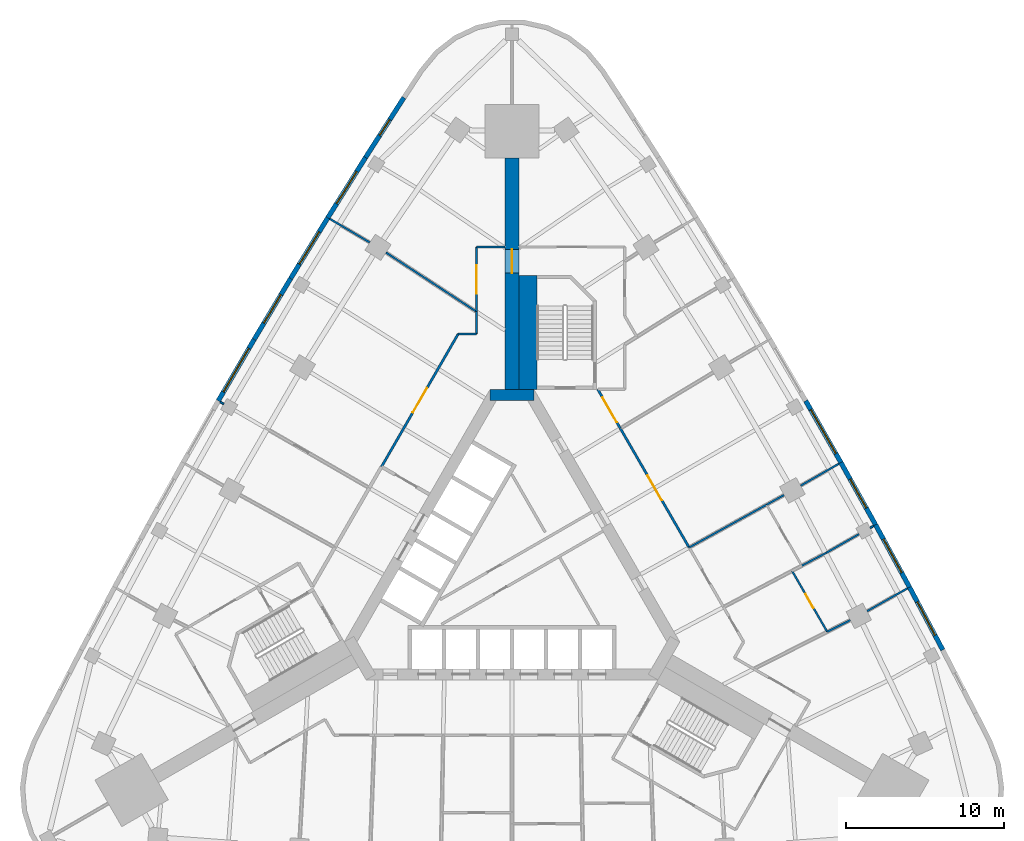
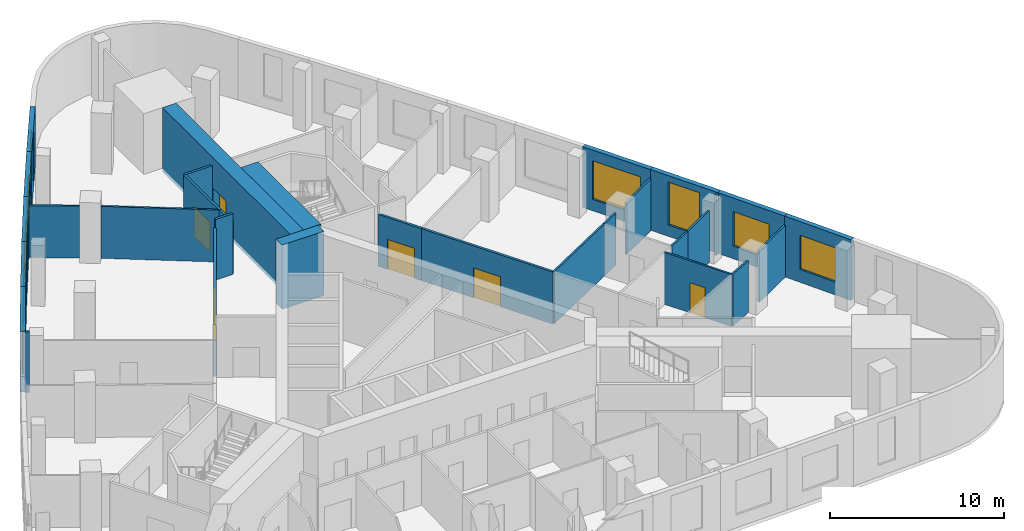
# One storey, part 8 of 11: 31 walls, 9 windows, 6 doors, 15 openings.
"""IFC4 building model written with IfcOpenShell, lengths in metres."""

import ifcopenshell
import ifcopenshell.guid

model = None  # the IFC model being written
_history = None  # IfcOwnerHistory: only IFC2X3 demands one
_inside = {}  # id of a spatial element -> (the spatial element, [elements in it])
_under = {}  # id of a project, library or spatial element -> (it, [spatial elements below it])
_declared = {}  # id of a project -> (the project, [libraries it declares])
_typed = {}  # id of a type object -> (the type object, [elements of that type])
_made_of = {}  # id of a material, layer set ... -> (it, [elements and type objects made of it])


def new_model(schema):
    """Start an empty IFC model of exactly this schema.

    Asked for "IFC4X3", IfcOpenShell would pick the latest addendum, in which some entities
    have other attributes; the version numbers below select the first issue.
    IFC2X3 requires an IfcOwnerHistory on every rooted entity: one is made here for all.
    """
    global model, _history
    if schema == "IFC4X3":
        model = ifcopenshell.file(schema_version=(4, 3, 0, 0))
    else:
        model = ifcopenshell.file(schema=schema)
    _inside.clear()
    _under.clear()
    _declared.clear()
    _typed.clear()
    _made_of.clear()
    _history = None
    if model.schema == "IFC2X3":
        org = make("IfcOrganization", Name="unknown")
        user = make(
            "IfcPersonAndOrganization",
            ThePerson=make("IfcPerson", FamilyName="unknown"),
            TheOrganization=org,
        )
        app = make(
            "IfcApplication",
            ApplicationDeveloper=org,
            Version="unknown",
            ApplicationFullName="unknown",
            ApplicationIdentifier="unknown",
        )
        _history = make(
            "IfcOwnerHistory",
            OwningUser=user,
            OwningApplication=app,
            ChangeAction="ADDED",
            CreationDate=0,
        )
    return model


def make(cls, **values):
    """One entity of the class cls with the attributes given. An attribute that is None is left unset."""
    return model.create_entity(
        cls, **{name: value for name, value in values.items() if value is not None}
    )


def rooted(cls, **values):
    """An entity with a GlobalId (a new one), such as an element, a storey or a relation."""
    return make(cls, GlobalId=ifcopenshell.guid.new(), OwnerHistory=_history, **values)


def si_unit(unit_type, name, prefix=None):
    """IfcSIUnit, for example si_unit("LENGTHUNIT", "METRE", prefix="MILLI")."""
    return make("IfcSIUnit", UnitType=unit_type, Prefix=prefix, Name=name)


def assignment(units):
    """IfcUnitAssignment: the units of a project."""
    return None if units is None else make("IfcUnitAssignment", Units=units)


def point(xyz):
    """IfcCartesianPoint."""
    return None if xyz is None else make("IfcCartesianPoint", Coordinates=xyz)


def direction(xyz):
    """IfcDirection."""
    return None if xyz is None else make("IfcDirection", DirectionRatios=xyz)


def frame(location, z_axis=None, x_axis=None):
    """IfcAxis2Placement3D, a coordinate frame: its origin and axes. An axis left out is left unset."""
    return make(
        "IfcAxis2Placement3D",
        Location=point(location),
        Axis=direction(z_axis),
        RefDirection=direction(x_axis),
    )


def frame_2d(location, x_axis=None):
    """IfcAxis2Placement2D, a coordinate frame in the plane: its origin and x axis."""
    return make(
        "IfcAxis2Placement2D", Location=point(location), RefDirection=direction(x_axis)
    )


def origin():
    """The frame at (0, 0, 0) with its axes left unset."""
    return frame((0.0, 0.0, 0.0))


def place(relative_to, where):
    """IfcLocalPlacement: puts the frame where relative to a parent placement (None: the world)."""
    return make(
        "IfcLocalPlacement", PlacementRelTo=relative_to, RelativePlacement=where
    )


def context(
    kind, dimensions, precision=None, world=None, true_north=None, identifier=None
):
    """IfcGeometricRepresentationContext, for example the 3D "Model" context."""
    return make(
        "IfcGeometricRepresentationContext",
        ContextIdentifier=identifier,
        ContextType=kind,
        CoordinateSpaceDimension=dimensions,
        Precision=precision,
        WorldCoordinateSystem=world,
        TrueNorth=true_north,
    )


def subcontext(parent, identifier, kind, view, scale=None):
    """IfcGeometricRepresentationSubContext, for example "Body" below "Model"."""
    return make(
        "IfcGeometricRepresentationSubContext",
        ContextIdentifier=identifier,
        ContextType=kind,
        ParentContext=parent,
        TargetScale=scale,
        TargetView=view,
    )


def project(units=None, contexts=None):
    """IfcProject with its units and contexts."""
    return rooted(
        "IfcProject",
        Name="project",
        RepresentationContexts=contexts,
        UnitsInContext=assignment(units),
    )


def spatial(cls, under=None, at=None, **own):
    """A site, building, storey or space (cls), placed at a placement, below another one or the project."""
    s = rooted(cls, ObjectPlacement=at, **own)
    if under is not None:
        _under.setdefault(under.id(), (under, []))[1].append(s)
    return s


def profile(cls, at=None, kind="AREA", **sizes):
    """A parametric profile (cls). Its sizes go by their IFC names, for example OverallWidth=200.0."""
    return make(cls, ProfileType=kind, Position=at, **sizes)


def rectangle(**sizes):
    """IfcRectangleProfileDef."""
    return profile("IfcRectangleProfileDef", **sizes)


def extrude(swept, where, along, depth):
    """IfcExtrudedAreaSolid: the profile swept, set in the frame where, extruded along a direction by depth."""
    return make(
        "IfcExtrudedAreaSolid",
        SweptArea=swept,
        Position=where,
        ExtrudedDirection=direction(along),
        Depth=depth,
    )


def shape(context_of_items, identifier, shape_type, items):
    """IfcShapeRepresentation: the items that make up one representation, for example the "Body"."""
    return make(
        "IfcShapeRepresentation",
        ContextOfItems=context_of_items,
        RepresentationIdentifier=identifier,
        RepresentationType=shape_type,
        Items=items,
    )


def material(Name=None, Category=None):
    """IfcMaterial."""
    return make("IfcMaterial", Name=Name, Category=Category)


def layer(
    of_material, thickness, ventilated=None, Name=None, Category=None, Priority=None
):
    """IfcMaterialLayer: one layer of a wall or slab, of a material (None: an air gap)."""
    return make(
        "IfcMaterialLayer",
        Material=of_material,
        LayerThickness=thickness,
        IsVentilated=ventilated,
        Name=Name,
        Category=Category,
        Priority=Priority,
    )


def layer_set(layers, Name=None):
    """IfcMaterialLayerSet."""
    return make("IfcMaterialLayerSet", MaterialLayers=layers, LayerSetName=Name)


def made_of(thing, what):
    """Note that an element or type object is made of a material, layer set ...; save() writes the relation."""
    if what is not None:
        _made_of.setdefault(what.id(), (what, []))[1].append(thing)
    return thing


def type_object(cls, material=None, **own):
    """A type object (cls), such as IfcWallType, which elements share."""
    return made_of(rooted(cls, **own), material)


def element(
    cls,
    number,
    at=None,
    inside=None,
    cuts=None,
    type_object=None,
    material=None,
    context=None,
    identifier="Body",
    shape_type=None,
    held_by="IfcProductDefinitionShape",
    body=None,
    shapes=None,
    **own,
):
    """One element of the class cls, such as IfcWall. Its Tag is "e" and its number.

    at: its placement. inside: the storey or other place that contains it. cuts: it is an
    opening in that element (IfcRelVoidsElement). A single representation is given by context,
    identifier, shape_type and body (its items); several are given by shapes. held_by: the class
    of the entity that holds the representations. save() writes the other relations.
    """
    e = rooted(cls, Tag="e%d" % number, ObjectPlacement=at, **own)
    if body is not None:
        shapes = [shape(context, identifier, shape_type, body)]
    if shapes is not None:
        e.Representation = make(held_by, Representations=shapes)
    if inside is not None:
        _inside.setdefault(inside.id(), (inside, []))[1].append(e)
    if cuts is not None:
        rooted(
            "IfcRelVoidsElement", RelatingBuildingElement=cuts, RelatedOpeningElement=e
        )
    if type_object is not None:
        _typed.setdefault(type_object.id(), (type_object, []))[1].append(e)
    return made_of(e, material)


def fill(opening, filler):
    """IfcRelFillsElement: the door or window that sits in an opening."""
    return rooted(
        "IfcRelFillsElement",
        RelatingOpeningElement=opening,
        RelatedBuildingElement=filler,
    )


def aggregate(whole, parts):
    """IfcRelAggregates: a whole, such as a stair, and the parts it consists of."""
    return rooted("IfcRelAggregates", RelatingObject=whole, RelatedObjects=parts)


def save(model, path):
    """Write the relations noted so far, then the file.

    IfcRelAggregates (storeys below a building ...), IfcRelContainedInSpatialStructure (elements
    in a storey), IfcRelDefinesByType, IfcRelAssociatesMaterial and IfcRelDeclares: one each for
    every whole, place, type object, material and project.
    """
    for whole, parts in _under.values():
        aggregate(whole, parts)
    for where, things in _inside.values():
        rooted(
            "IfcRelContainedInSpatialStructure",
            RelatedElements=things,
            RelatingStructure=where,
        )
    for kind, things in _typed.values():
        rooted("IfcRelDefinesByType", RelatedObjects=things, RelatingType=kind)
    for what, things in _made_of.values():
        rooted("IfcRelAssociatesMaterial", RelatedObjects=things, RelatingMaterial=what)
    for by, libraries in _declared.values():
        rooted("IfcRelDeclares", RelatingContext=by, RelatedDefinitions=libraries)
    model.write(path)


model = new_model("IFC4")

# Units and contexts
model_context = context("Model", 3, precision=1e-05, world=origin(), true_north=direction((0.0, 1.0)))
body_context = subcontext(model_context, "Body", "Model", "MODEL_VIEW")
ifc_project = project(units=[si_unit("LENGTHUNIT", "METRE"), si_unit("AREAUNIT", "SQUARE_METRE"), si_unit("VOLUMEUNIT", "CUBIC_METRE"), si_unit("PLANEANGLEUNIT", "RADIAN"), si_unit("MASSUNIT", "GRAM", prefix="KILO")], contexts=[model_context])

# Site, building, storey
site_placement = place(None, origin())
site = spatial("IfcSite", under=ifc_project, at=site_placement, CompositionType="ELEMENT")
building_placement = place(site_placement, origin())
building = spatial("IfcBuilding", under=site, at=building_placement, Name="Noor Cloister Tower", CompositionType="ELEMENT")
storey_placement = place(building_placement, frame((0.0, 0.0, 15.0)))
storey = spatial("IfcBuildingStorey", under=building, at=storey_placement, Name="L03", CompositionType="ELEMENT", Elevation=15.0)

# Wall, opening, door
ifc_material_1 = material(Name="Concrete C80/95", Category="concrete")
ifc_layer_1 = layer(ifc_material_1, 0.89990234375)
ifc_layer_set_1 = layer_set([ifc_layer_1], Name="Buttress wall 900 C80/95")
wall_type_1 = type_object("IfcWallType", Name="Buttress wall 900 C80/95", PredefinedType="SHEAR", material=ifc_layer_set_1)
wall_1_placement = place(storey_placement, frame((0.0, 11.456298828125, -0.25), z_axis=(0.0, 0.0, 1.0), x_axis=(0.0, 1.0, 0.0)))
wall_1 = element("IfcWall", 1, at=wall_1_placement, inside=storey, type_object=wall_type_1, Name="Buttress wall N L03", PredefinedType="SHEAR", context=body_context, shape_type="SweptSolid", body=[
    extrude(rectangle(XDim=14.6328125, YDim=0.89990234375, at=frame_2d((7.31640625, 0.0))), origin(), (0.0, 0.0, 1.0), 4.5),
])
opening_1_placement = place(wall_1_placement, frame((7.35009765625, 0.0, 0.25)))
opening_1 = element("IfcOpeningElement", 2, at=opening_1_placement, cuts=wall_1, Name="Opening L03-028", PredefinedType="OPENING", context=body_context, shape_type="SweptSolid", body=[
    extrude(rectangle(XDim=1.5, YDim=2.10009765625, at=frame_2d((0.75, 1.050048828125))), frame((0.0, 0.4599609375, 0.0), z_axis=(0.0, -1.0, 0.0), x_axis=(1.0, 0.0, 0.0)), (0.0, 0.0, 1.0), 0.919921875),
])
ifc_material_2 = material(Name="Steel fire door", Category="steel")
door_type_1 = type_object("IfcDoorType", Name="Smoke barrier door FD60 1500", OperationType="DOUBLE_DOOR_SINGLE_SWING", PredefinedType="DOOR", material=ifc_material_2)
door_1_placement = place(opening_1_placement, origin())
door_1 = element("IfcDoor", 3, at=door_1_placement, inside=storey, type_object=door_type_1, Name="Door L03-028", OperationType="DOUBLE_DOOR_SINGLE_SWING", OverallHeight=2.10009765625, OverallWidth=1.5, PredefinedType="DOOR", context=body_context, shape_type="SweptSolid", body=[
    extrude(rectangle(XDim=1.5, YDim=2.10009765625, at=frame_2d((0.75, 1.050048828125))), frame((0.0, 0.02490234375, 0.0), z_axis=(0.0, -1.0, 0.0), x_axis=(1.0, 0.0, 0.0)), (0.0, 0.0, 1.0), 0.050048828125),
])
fill(opening_1, door_1)

# Wall
ifc_material_3 = material(Name="Concrete C80/95", Category="concrete")
ifc_layer_2 = layer(ifc_material_3, 0.699951171875)
ifc_layer_set_2 = layer_set([ifc_layer_2], Name="Core wall 700 C80/95")
wall_type_2 = type_object("IfcWallType", Name="Core wall 700 C80/95", PredefinedType="SHEAR", material=ifc_layer_set_2)
wall_2_placement = place(storey_placement, frame((1.3857421875, 11.1064453125, -0.25), z_axis=(0.0, 0.0, 1.0), x_axis=(-1.0, 0.0, 0.0)))
element("IfcWall", 4, at=wall_2_placement, inside=storey, type_object=wall_type_2, Name="Core wall L03 4", PredefinedType="SHEAR", context=body_context, shape_type="SweptSolid", body=[
    extrude(rectangle(XDim=2.771484375, YDim=0.699951171875, at=frame_2d((1.3857421875, 0.0))), origin(), (0.0, 0.0, 1.0), 4.5),
])

# Wall, opening, door
ifc_material_4 = material(Name="Plasterboard on steel studs", Category="steel")
ifc_layer_3 = layer(ifc_material_4, 0.14990234375)
ifc_layer_set_3 = layer_set([ifc_layer_3], Name="Corridor wall 150")
wall_type_3 = type_object("IfcWallType", Name="Corridor wall 150", PredefinedType="PARTITIONING", material=ifc_layer_set_3)
wall_3_placement = place(storey_placement, frame((11.2060546875, 1.446044921875, 0.0), z_axis=(0.0, 0.0, 1.0), x_axis=(-0.500116761363, 0.865957981085, 0.0)))
wall_3 = element("IfcWall", 5, at=wall_3_placement, inside=storey, type_object=wall_type_3, Name="Partition", PredefinedType="PARTITIONING", context=body_context, shape_type="SweptSolid", body=[
    extrude(rectangle(XDim=8.7001953125, YDim=0.14990234375, at=frame_2d((4.35009765625, 0.0))), origin(), (0.0, 0.0, 1.0), 3.637939453125),
])
opening_2_placement = place(wall_3_placement, frame((3.449951171875, 0.0, 0.0)))
opening_2 = element("IfcOpeningElement", 6, at=opening_2_placement, cuts=wall_3, Name="Opening L03-020", PredefinedType="OPENING", context=body_context, shape_type="SweptSolid", body=[
    extrude(rectangle(XDim=1.800048828125, YDim=2.10009765625, at=frame_2d((0.89990234375, 1.050048828125))), frame((0.0, 0.0849609375, 0.0), z_axis=(0.0, -1.0, 0.0), x_axis=(1.0, 0.0, 0.0)), (0.0, 0.0, 1.0), 0.169921875),
])
ifc_material_5 = material(Name="Timber door leaf", Category="wood")
door_type_2 = type_object("IfcDoorType", Name="Double leaf door 1800", OperationType="DOUBLE_DOOR_SINGLE_SWING", PredefinedType="DOOR", material=ifc_material_5)
door_2_placement = place(opening_2_placement, origin())
door_2 = element("IfcDoor", 7, at=door_2_placement, inside=storey, type_object=door_type_2, Name="Door L03-020", OperationType="DOUBLE_DOOR_SINGLE_SWING", OverallHeight=2.10009765625, OverallWidth=1.800048828125, PredefinedType="DOOR", context=body_context, shape_type="SweptSolid", body=[
    extrude(rectangle(XDim=1.800048828125, YDim=2.10009765625, at=frame_2d((0.89990234375, 1.050048828125))), frame((0.0, 0.02490234375, 0.0), z_axis=(0.0, -1.0, 0.0), x_axis=(1.0, 0.0, 0.0)), (0.0, 0.0, 1.0), 0.050048828125),
])
fill(opening_2, door_2)

wall_4_placement = place(storey_placement, frame((6.85400390625, 8.98193359375, 0.0), z_axis=(0.0, 0.0, 1.0), x_axis=(-0.499919889281, 0.866071650789, 0.0)))
wall_4 = element("IfcWall", 8, at=wall_4_placement, inside=storey, type_object=wall_type_3, Name="Partition", PredefinedType="PARTITIONING", context=body_context, shape_type="SweptSolid", body=[
    extrude(rectangle(XDim=2.8544921875, YDim=0.14990234375, at=frame_2d((1.42724609375, 0.0))), origin(), (0.0, 0.0, 1.0), 3.637939453125),
])
opening_3_placement = place(wall_4_placement, frame((0.449951171875, 0.0, 0.0)))
opening_3 = element("IfcOpeningElement", 9, at=opening_3_placement, cuts=wall_4, Name="Opening L03-021", PredefinedType="OPENING", context=body_context, shape_type="SweptSolid", body=[
    extrude(rectangle(XDim=1.800048828125, YDim=2.10009765625, at=frame_2d((0.89990234375, 1.050048828125))), frame((0.0, 0.0849609375, 0.0), z_axis=(0.0, -1.0, 0.0), x_axis=(1.0, 0.0, 0.0)), (0.0, 0.0, 1.0), 0.169921875),
])
door_3_placement = place(opening_3_placement, origin())
door_3 = element("IfcDoor", 10, at=door_3_placement, inside=storey, type_object=door_type_2, Name="Door L03-021", OperationType="DOUBLE_DOOR_SINGLE_SWING", OverallHeight=2.10009765625, OverallWidth=1.800048828125, PredefinedType="DOOR", context=body_context, shape_type="SweptSolid", body=[
    extrude(rectangle(XDim=1.800048828125, YDim=2.10009765625, at=frame_2d((0.89990234375, 1.050048828125))), frame((0.0, 0.02490234375, 0.0), z_axis=(0.0, -1.0, 0.0), x_axis=(1.0, 0.0, 0.0)), (0.0, 0.0, 1.0), 0.050048828125),
])
fill(opening_3, door_3)

# Walls
wall_5_placement = place(storey_placement, frame((-2.25, 16.366943359375, 0.0), z_axis=(0.0, 0.0, 1.0), x_axis=(0.0, -1.0, 0.0)))
element("IfcWall", 11, at=wall_5_placement, inside=storey, type_object=wall_type_3, Name="Partition", PredefinedType="PARTITIONING", context=body_context, shape_type="SweptSolid", body=[
    extrude(rectangle(XDim=1.410888671875, YDim=0.14990234375, at=frame_2d((0.70556640625, 0.0))), origin(), (0.0, 0.0, 1.0), 3.637939453125),
])
wall_6_placement = place(storey_placement, frame((-2.25, 14.9560546875, 0.0), z_axis=(0.0, 0.0, 1.0), x_axis=(-1.0, 0.0, 0.0)))
element("IfcWall", 12, at=wall_6_placement, inside=storey, type_object=wall_type_3, Name="Partition", PredefinedType="PARTITIONING", context=body_context, shape_type="SweptSolid", body=[
    extrude(rectangle(XDim=1.156005859375, YDim=0.14990234375, at=frame_2d((0.578125, 0.0))), origin(), (0.0, 0.0, 1.0), 4.25),
])

# Wall, opening, door
wall_7_placement = place(storey_placement, frame((-3.406005859375, 14.9560546875, 0.0), z_axis=(0.0, 0.0, 1.0), x_axis=(-0.500020940175, -0.866013313631, 0.0)))
wall_7 = element("IfcWall", 13, at=wall_7_placement, inside=storey, type_object=wall_type_3, Name="Partition", PredefinedType="PARTITIONING", context=body_context, shape_type="SweptSolid", body=[
    extrude(rectangle(XDim=9.69970703125, YDim=0.14990234375, at=frame_2d((4.849853515625, 0.0))), origin(), (0.0, 0.0, 1.0), 3.637939453125),
])
opening_4_placement = place(wall_7_placement, frame((3.949951171875, 0.0, 0.0)))
opening_4 = element("IfcOpeningElement", 14, at=opening_4_placement, cuts=wall_7, Name="Opening L03-022", PredefinedType="OPENING", context=body_context, shape_type="SweptSolid", body=[
    extrude(rectangle(XDim=1.800048828125, YDim=2.10009765625, at=frame_2d((0.89990234375, 1.050048828125))), frame((0.0, 0.0849609375, 0.0), z_axis=(0.0, -1.0, 0.0), x_axis=(1.0, 0.0, 0.0)), (0.0, 0.0, 1.0), 0.169921875),
])
door_4_placement = place(opening_4_placement, origin())
door_4 = element("IfcDoor", 15, at=door_4_placement, inside=storey, type_object=door_type_2, Name="Door L03-022", OperationType="DOUBLE_DOOR_SINGLE_SWING", OverallHeight=2.10009765625, OverallWidth=1.800048828125, PredefinedType="DOOR", context=body_context, shape_type="SweptSolid", body=[
    extrude(rectangle(XDim=1.800048828125, YDim=2.10009765625, at=frame_2d((0.89990234375, 1.050048828125))), frame((0.0, 0.02490234375, 0.0), z_axis=(0.0, -1.0, 0.0), x_axis=(1.0, 0.0, 0.0)), (0.0, 0.0, 1.0), 0.050048828125),
])
fill(opening_4, door_4)

# Wall
wall_8_placement = place(storey_placement, frame((-0.449951171875, 20.4560546875, 0.0), z_axis=(0.0, 0.0, 1.0), x_axis=(-1.0, 0.0, 0.0)))
element("IfcWall", 16, at=wall_8_placement, inside=storey, type_object=wall_type_3, Name="Partition", PredefinedType="PARTITIONING", context=body_context, shape_type="SweptSolid", body=[
    extrude(rectangle(XDim=1.800048828125, YDim=0.14990234375, at=frame_2d((0.89990234375, 0.0))), origin(), (0.0, 0.0, 1.0), 3.637939453125),
])

# Wall, opening, door
wall_9_placement = place(storey_placement, frame((-2.25, 20.4560546875, 0.0), z_axis=(0.0, 0.0, 1.0), x_axis=(0.0, -1.0, 0.0)))
wall_9 = element("IfcWall", 17, at=wall_9_placement, inside=storey, type_object=wall_type_3, Name="Partition", PredefinedType="PARTITIONING", context=body_context, shape_type="SweptSolid", body=[
    extrude(rectangle(XDim=4.089111328125, YDim=0.14990234375, at=frame_2d((2.04443359375, 0.0))), origin(), (0.0, 0.0, 1.0), 3.637939453125),
])
opening_5_placement = place(wall_9_placement, frame((1.14990234375, 0.0, 0.0)))
opening_5 = element("IfcOpeningElement", 18, at=opening_5_placement, cuts=wall_9, Name="Opening L03-024", PredefinedType="OPENING", context=body_context, shape_type="SweptSolid", body=[
    extrude(rectangle(XDim=1.800048828125, YDim=2.10009765625, at=frame_2d((0.89990234375, 1.050048828125))), frame((0.0, 0.0849609375, 0.0), z_axis=(0.0, -1.0, 0.0), x_axis=(1.0, 0.0, 0.0)), (0.0, 0.0, 1.0), 0.169921875),
])
door_5_placement = place(opening_5_placement, origin())
door_5 = element("IfcDoor", 19, at=door_5_placement, inside=storey, type_object=door_type_2, Name="Door L03-024", OperationType="DOUBLE_DOOR_SINGLE_SWING", OverallHeight=2.10009765625, OverallWidth=1.800048828125, PredefinedType="DOOR", context=body_context, shape_type="SweptSolid", body=[
    extrude(rectangle(XDim=1.800048828125, YDim=2.10009765625, at=frame_2d((0.89990234375, 1.050048828125))), frame((0.0, 0.02490234375, 0.0), z_axis=(0.0, -1.0, 0.0), x_axis=(1.0, 0.0, 0.0)), (0.0, 0.0, 1.0), 0.050048828125),
])
fill(opening_5, door_5)

# Wall, opening, window
ifc_material_6 = material(Name="Limestone", Category="masonry")
ifc_layer_4 = layer(ifc_material_6, 0.300048828125)
ifc_layer_set_4 = layer_set([ifc_layer_4], Name="Limestone panel wall 300")
wall_type_4 = type_object("IfcWallType", Name="Limestone panel wall 300", PredefinedType="NOTDEFINED", material=ifc_layer_set_4)
wall_10_placement = place(storey_placement, frame((-9.267578125, 26.12353515625, 0.0), z_axis=(0.0, 0.0, 1.0), x_axis=(0.539483537275, 0.841996147859, 0.0)))
wall_10 = element("IfcWall", 20, at=wall_10_placement, inside=storey, type_object=wall_type_4, Name="Limestone wall L03 NW 1", PredefinedType="NOTDEFINED", context=body_context, shape_type="SweptSolid", body=[
    extrude(rectangle(XDim=4.49609375, YDim=0.300048828125, at=frame_2d((2.248046875, 0.0))), origin(), (0.0, 0.0, 1.0), 4.25),
])
opening_6_placement = place(wall_10_placement, frame((1.64794921875, 0.0, 0.800048828125)))
opening_6 = element("IfcOpeningElement", 21, at=opening_6_placement, cuts=wall_10, Name="Opening L03-W01", PredefinedType="OPENING", context=body_context, shape_type="SweptSolid", body=[
    extrude(rectangle(XDim=1.199951171875, YDim=3.0, at=frame_2d((0.60009765625, 1.5))), frame((0.0, 0.16015625, 0.0), z_axis=(0.0, -1.0, 0.0), x_axis=(1.0, 0.0, 0.0)), (0.0, 0.0, 1.0), 0.320068359375),
])
ifc_material_7 = material(Name="Aluminium 6063-T6 anodised", Category="aluminium")
window_type_1 = type_object("IfcWindowType", Name="Lancet window 1200 x 3000", PartitioningType="SINGLE_PANEL", PredefinedType="WINDOW", material=ifc_material_7)
window_1_placement = place(opening_6_placement, origin())
window_1 = element("IfcWindow", 22, at=window_1_placement, inside=storey, type_object=window_type_1, Name="Window L03 1", OverallHeight=3.0, OverallWidth=1.199951171875, PartitioningType="SINGLE_PANEL", PredefinedType="WINDOW", context=body_context, shape_type="SweptSolid", body=[
    extrude(rectangle(XDim=1.199951171875, YDim=3.0, at=frame_2d((0.60009765625, 1.5))), frame((0.0, 0.030029296875, 0.0), z_axis=(0.0, -1.0, 0.0), x_axis=(1.0, 0.0, 0.0)), (0.0, 0.0, 1.0), 0.06005859375),
])
fill(opening_6, window_1)

wall_11_placement = place(storey_placement, frame((-11.6552734375, 22.311279296875, 0.0), z_axis=(0.0, 0.0, 1.0), x_axis=(0.530804082031, 0.847494558389, 0.0)))
wall_11 = element("IfcWall", 23, at=wall_11_placement, inside=storey, type_object=wall_type_4, Name="Limestone wall L03 NW 2", PredefinedType="NOTDEFINED", context=body_context, shape_type="SweptSolid", body=[
    extrude(rectangle(XDim=4.495849609375, YDim=0.300048828125, at=frame_2d((2.248046875, 0.0))), origin(), (0.0, 0.0, 1.0), 4.25),
])
opening_7_placement = place(wall_11_placement, frame((1.048095703125, 0.0, 0.89990234375)))
opening_7 = element("IfcOpeningElement", 24, at=opening_7_placement, cuts=wall_11, Name="Opening L03-W02", PredefinedType="OPENING", context=body_context, shape_type="SweptSolid", body=[
    extrude(rectangle(XDim=2.39990234375, YDim=2.39990234375, at=frame_2d((1.199951171875, 1.199951171875))), frame((0.0, 0.16015625, 0.0), z_axis=(0.0, -1.0, 0.0), x_axis=(1.0, 0.0, 0.0)), (0.0, 0.0, 1.0), 0.320068359375),
])
ifc_material_8 = material(Name="Aluminium 6063-T6 anodised", Category="aluminium")
window_type_2 = type_object("IfcWindowType", Name="Clinic window 2400 x 2400", PartitioningType="DOUBLE_PANEL_VERTICAL", PredefinedType="WINDOW", material=ifc_material_8)
window_2_placement = place(opening_7_placement, origin())
window_2 = element("IfcWindow", 25, at=window_2_placement, inside=storey, type_object=window_type_2, Name="Window L03 2", OverallHeight=2.39990234375, OverallWidth=2.39990234375, PartitioningType="DOUBLE_PANEL_VERTICAL", PredefinedType="WINDOW", context=body_context, shape_type="SweptSolid", body=[
    extrude(rectangle(XDim=2.39990234375, YDim=2.39990234375, at=frame_2d((1.199951171875, 1.199951171875))), frame((0.0, 0.030029296875, 0.0), z_axis=(0.0, -1.0, 0.0), x_axis=(1.0, 0.0, 0.0)), (0.0, 0.0, 1.0), 0.06005859375),
])
fill(opening_7, window_2)

wall_12_placement = place(storey_placement, frame((-14.003662109375, 18.474609375, 0.0), z_axis=(0.0, 0.0, 1.0), x_axis=(0.522078085402, 0.852897691838, 0.0)))
wall_12 = element("IfcWall", 26, at=wall_12_placement, inside=storey, type_object=wall_type_4, Name="Limestone wall L03 NW 3", PredefinedType="NOTDEFINED", context=body_context, shape_type="SweptSolid", body=[
    extrude(rectangle(XDim=4.495849609375, YDim=0.300048828125, at=frame_2d((2.248046875, 0.0))), origin(), (0.0, 0.0, 1.0), 4.25),
])
opening_8_placement = place(wall_12_placement, frame((1.048095703125, 0.0, 0.89990234375)))
opening_8 = element("IfcOpeningElement", 27, at=opening_8_placement, cuts=wall_12, Name="Opening L03-W03", PredefinedType="OPENING", context=body_context, shape_type="SweptSolid", body=[
    extrude(rectangle(XDim=2.39990234375, YDim=2.39990234375, at=frame_2d((1.199951171875, 1.199951171875))), frame((0.0, 0.16015625, 0.0), z_axis=(0.0, -1.0, 0.0), x_axis=(1.0, 0.0, 0.0)), (0.0, 0.0, 1.0), 0.320068359375),
])
window_3_placement = place(opening_8_placement, origin())
window_3 = element("IfcWindow", 28, at=window_3_placement, inside=storey, type_object=window_type_2, Name="Window L03 3", OverallHeight=2.39990234375, OverallWidth=2.39990234375, PartitioningType="DOUBLE_PANEL_VERTICAL", PredefinedType="WINDOW", context=body_context, shape_type="SweptSolid", body=[
    extrude(rectangle(XDim=2.39990234375, YDim=2.39990234375, at=frame_2d((1.199951171875, 1.199951171875))), frame((0.0, 0.030029296875, 0.0), z_axis=(0.0, -1.0, 0.0), x_axis=(1.0, 0.0, 0.0)), (0.0, 0.0, 1.0), 0.06005859375),
])
fill(opening_8, window_3)

wall_13_placement = place(storey_placement, frame((-16.312744140625, 14.61376953125, 0.0), z_axis=(0.0, 0.0, 1.0), x_axis=(0.513257465408, 0.858234684805, 0.0)))
wall_13 = element("IfcWall", 29, at=wall_13_placement, inside=storey, type_object=wall_type_4, Name="Limestone wall L03 NW 4", PredefinedType="NOTDEFINED", context=body_context, shape_type="SweptSolid", body=[
    extrude(rectangle(XDim=4.49609375, YDim=0.300048828125, at=frame_2d((2.248046875, 0.0))), origin(), (0.0, 0.0, 1.0), 4.25),
])
opening_9_placement = place(wall_13_placement, frame((1.197998046875, 0.0, 0.800048828125)))
opening_9 = element("IfcOpeningElement", 30, at=opening_9_placement, cuts=wall_13, Name="Opening L03-W04", PredefinedType="OPENING", context=body_context, shape_type="SweptSolid", body=[
    extrude(rectangle(XDim=2.10009765625, YDim=3.0, at=frame_2d((1.050048828125, 1.5))), frame((0.0, 0.16015625, 0.0), z_axis=(0.0, -1.0, 0.0), x_axis=(1.0, 0.0, 0.0)), (0.0, 0.0, 1.0), 0.320068359375),
])
ifc_material_9 = material(Name="Aluminium 6063-T6 anodised", Category="aluminium")
window_type_3 = type_object("IfcWindowType", Name="Therapy window 2100 x 3000", PartitioningType="DOUBLE_PANEL_HORIZONTAL", PredefinedType="WINDOW", material=ifc_material_9)
window_4_placement = place(opening_9_placement, origin())
window_4 = element("IfcWindow", 31, at=window_4_placement, inside=storey, type_object=window_type_3, Name="Window L03 4", OverallHeight=3.0, OverallWidth=2.10009765625, PartitioningType="DOUBLE_PANEL_HORIZONTAL", PredefinedType="WINDOW", context=body_context, shape_type="SweptSolid", body=[
    extrude(rectangle(XDim=2.10009765625, YDim=3.0, at=frame_2d((1.050048828125, 1.5))), frame((0.0, 0.030029296875, 0.0), z_axis=(0.0, -1.0, 0.0), x_axis=(1.0, 0.0, 0.0)), (0.0, 0.0, 1.0), 0.06005859375),
])
fill(opening_9, window_4)

wall_14_placement = place(storey_placement, frame((-18.58203125, 10.729736328125, 0.0), z_axis=(0.0, 0.0, 1.0), x_axis=(0.50445499627, 0.86343798662, 0.0)))
wall_14 = element("IfcWall", 32, at=wall_14_placement, inside=storey, type_object=wall_type_4, Name="Limestone wall L03 NW 5", PredefinedType="NOTDEFINED", context=body_context, shape_type="SweptSolid", body=[
    extrude(rectangle(XDim=4.49609375, YDim=0.300048828125, at=frame_2d((2.248046875, 0.0))), origin(), (0.0, 0.0, 1.0), 4.25),
])
opening_10_placement = place(wall_14_placement, frame((0.64794921875, 0.0, 0.800048828125)))
opening_10 = element("IfcOpeningElement", 33, at=opening_10_placement, cuts=wall_14, Name="Opening L03-W05", PredefinedType="OPENING", context=body_context, shape_type="SweptSolid", body=[
    extrude(rectangle(XDim=3.199951171875, YDim=2.699951171875, at=frame_2d((1.60009765625, 1.35009765625))), frame((0.0, 0.16015625, 0.0), z_axis=(0.0, -1.0, 0.0), x_axis=(1.0, 0.0, 0.0)), (0.0, 0.0, 1.0), 0.320068359375),
])
ifc_material_10 = material(Name="Aluminium 6063-T6 anodised", Category="aluminium")
window_type_4 = type_object("IfcWindowType", Name="Waiting room window 3200 x 2700", PartitioningType="TRIPLE_PANEL_VERTICAL", PredefinedType="WINDOW", material=ifc_material_10)
window_5_placement = place(opening_10_placement, origin())
window_5 = element("IfcWindow", 34, at=window_5_placement, inside=storey, type_object=window_type_4, Name="Window L03 5", OverallHeight=2.699951171875, OverallWidth=3.199951171875, PartitioningType="TRIPLE_PANEL_VERTICAL", PredefinedType="WINDOW", context=body_context, shape_type="SweptSolid", body=[
    extrude(rectangle(XDim=3.199951171875, YDim=2.699951171875, at=frame_2d((1.60009765625, 1.35009765625))), frame((0.0, 0.030029296875, 0.0), z_axis=(0.0, -1.0, 0.0), x_axis=(1.0, 0.0, 0.0)), (0.0, 0.0, 1.0), 0.06005859375),
])
fill(opening_10, window_5)

wall_15_placement = place(storey_placement, frame((25.149658203125, -1.061767578125, 0.0), z_axis=(0.0, 0.0, 1.0), x_axis=(0.468566202388, -0.883428386447, 0.0)))
wall_15 = element("IfcWall", 35, at=wall_15_placement, inside=storey, type_object=wall_type_4, Name="Limestone wall L03 NE 2", PredefinedType="NOTDEFINED", context=body_context, shape_type="SweptSolid", body=[
    extrude(rectangle(XDim=4.49609375, YDim=0.300048828125, at=frame_2d((2.248046875, 0.0))), origin(), (0.0, 0.0, 1.0), 4.25),
])
opening_11_placement = place(wall_15_placement, frame((1.048095703125, 0.0, 0.89990234375)))
opening_11 = element("IfcOpeningElement", 36, at=opening_11_placement, cuts=wall_15, Name="Opening L03-W22", PredefinedType="OPENING", context=body_context, shape_type="SweptSolid", body=[
    extrude(rectangle(XDim=2.39990234375, YDim=2.39990234375, at=frame_2d((1.199951171875, 1.199951171875))), frame((0.0, 0.16015625, 0.0), z_axis=(0.0, -1.0, 0.0), x_axis=(1.0, 0.0, 0.0)), (0.0, 0.0, 1.0), 0.320068359375),
])
window_6_placement = place(opening_11_placement, origin())
window_6 = element("IfcWindow", 37, at=window_6_placement, inside=storey, type_object=window_type_2, Name="Window L03 22", OverallHeight=2.39990234375, OverallWidth=2.39990234375, PartitioningType="DOUBLE_PANEL_VERTICAL", PredefinedType="WINDOW", context=body_context, shape_type="SweptSolid", body=[
    extrude(rectangle(XDim=2.39990234375, YDim=2.39990234375, at=frame_2d((1.199951171875, 1.199951171875))), frame((0.0, 0.030029296875, 0.0), z_axis=(0.0, -1.0, 0.0), x_axis=(1.0, 0.0, 0.0)), (0.0, 0.0, 1.0), 0.06005859375),
])
fill(opening_11, window_6)

wall_16_placement = place(storey_placement, frame((23.001220703125, 2.890380859375, 0.0), z_axis=(0.0, 0.0, 1.0), x_axis=(0.477577109439, -0.878589838628, 0.0)))
wall_16 = element("IfcWall", 38, at=wall_16_placement, inside=storey, type_object=wall_type_4, Name="Limestone wall L03 NE 3", PredefinedType="NOTDEFINED", context=body_context, shape_type="SweptSolid", body=[
    extrude(rectangle(XDim=4.49609375, YDim=0.300048828125, at=frame_2d((2.248046875, 0.0))), origin(), (0.0, 0.0, 1.0), 4.25),
])
opening_12_placement = place(wall_16_placement, frame((1.048095703125, 0.0, 0.89990234375)))
opening_12 = element("IfcOpeningElement", 39, at=opening_12_placement, cuts=wall_16, Name="Opening L03-W23", PredefinedType="OPENING", context=body_context, shape_type="SweptSolid", body=[
    extrude(rectangle(XDim=2.39990234375, YDim=2.39990234375, at=frame_2d((1.199951171875, 1.199951171875))), frame((0.0, 0.16015625, 0.0), z_axis=(0.0, -1.0, 0.0), x_axis=(1.0, 0.0, 0.0)), (0.0, 0.0, 1.0), 0.320068359375),
])
window_7_placement = place(opening_12_placement, origin())
window_7 = element("IfcWindow", 40, at=window_7_placement, inside=storey, type_object=window_type_2, Name="Window L03 23", OverallHeight=2.39990234375, OverallWidth=2.39990234375, PartitioningType="DOUBLE_PANEL_VERTICAL", PredefinedType="WINDOW", context=body_context, shape_type="SweptSolid", body=[
    extrude(rectangle(XDim=2.39990234375, YDim=2.39990234375, at=frame_2d((1.199951171875, 1.199951171875))), frame((0.0, 0.030029296875, 0.0), z_axis=(0.0, -1.0, 0.0), x_axis=(1.0, 0.0, 0.0)), (0.0, 0.0, 1.0), 0.06005859375),
])
fill(opening_12, window_7)

wall_17_placement = place(storey_placement, frame((20.812255859375, 6.8203125, 0.0), z_axis=(0.0, 0.0, 1.0), x_axis=(0.486606252415, -0.873621402617, 0.0)))
wall_17 = element("IfcWall", 41, at=wall_17_placement, inside=storey, type_object=wall_type_4, Name="Limestone wall L03 NE 4", PredefinedType="NOTDEFINED", context=body_context, shape_type="SweptSolid", body=[
    extrude(rectangle(XDim=4.495849609375, YDim=0.300048828125, at=frame_2d((2.248046875, 0.0))), origin(), (0.0, 0.0, 1.0), 4.25),
])
opening_13_placement = place(wall_17_placement, frame((1.197998046875, 0.0, 0.800048828125)))
opening_13 = element("IfcOpeningElement", 42, at=opening_13_placement, cuts=wall_17, Name="Opening L03-W24", PredefinedType="OPENING", context=body_context, shape_type="SweptSolid", body=[
    extrude(rectangle(XDim=2.10009765625, YDim=3.0, at=frame_2d((1.050048828125, 1.5))), frame((0.0, 0.16015625, 0.0), z_axis=(0.0, -1.0, 0.0), x_axis=(1.0, 0.0, 0.0)), (0.0, 0.0, 1.0), 0.320068359375),
])
window_8_placement = place(opening_13_placement, origin())
window_8 = element("IfcWindow", 43, at=window_8_placement, inside=storey, type_object=window_type_3, Name="Window L03 24", OverallHeight=3.0, OverallWidth=2.10009765625, PartitioningType="DOUBLE_PANEL_HORIZONTAL", PredefinedType="WINDOW", context=body_context, shape_type="SweptSolid", body=[
    extrude(rectangle(XDim=2.10009765625, YDim=3.0, at=frame_2d((1.050048828125, 1.5))), frame((0.0, 0.030029296875, 0.0), z_axis=(0.0, -1.0, 0.0), x_axis=(1.0, 0.0, 0.0)), (0.0, 0.0, 1.0), 0.06005859375),
])
fill(opening_13, window_8)

wall_18_placement = place(storey_placement, frame((18.583251953125, 10.7275390625, 0.0), z_axis=(0.0, 0.0, 1.0), x_axis=(0.495524760411, -0.868593812907, 0.0)))
wall_18 = element("IfcWall", 44, at=wall_18_placement, inside=storey, type_object=wall_type_4, Name="Limestone wall L03 NE 5", PredefinedType="NOTDEFINED", context=body_context, shape_type="SweptSolid", body=[
    extrude(rectangle(XDim=4.495849609375, YDim=0.300048828125, at=frame_2d((2.248046875, 0.0))), origin(), (0.0, 0.0, 1.0), 4.25),
])
opening_14_placement = place(wall_18_placement, frame((0.64794921875, 0.0, 0.800048828125)))
opening_14 = element("IfcOpeningElement", 45, at=opening_14_placement, cuts=wall_18, Name="Opening L03-W25", PredefinedType="OPENING", context=body_context, shape_type="SweptSolid", body=[
    extrude(rectangle(XDim=3.199951171875, YDim=2.699951171875, at=frame_2d((1.60009765625, 1.35009765625))), frame((0.0, 0.16015625, 0.0), z_axis=(0.0, -1.0, 0.0), x_axis=(1.0, 0.0, 0.0)), (0.0, 0.0, 1.0), 0.320068359375),
])
window_9_placement = place(opening_14_placement, origin())
window_9 = element("IfcWindow", 46, at=window_9_placement, inside=storey, type_object=window_type_4, Name="Window L03 25", OverallHeight=2.699951171875, OverallWidth=3.199951171875, PartitioningType="TRIPLE_PANEL_VERTICAL", PredefinedType="WINDOW", context=body_context, shape_type="SweptSolid", body=[
    extrude(rectangle(XDim=3.199951171875, YDim=2.699951171875, at=frame_2d((1.60009765625, 1.35009765625))), frame((0.0, 0.030029296875, 0.0), z_axis=(0.0, -1.0, 0.0), x_axis=(1.0, 0.0, 0.0)), (0.0, 0.0, 1.0), 0.06005859375),
])
fill(opening_14, window_9)

# Walls
ifc_material_11 = material(Name="Plasterboard on steel studs", Category="steel")
ifc_layer_5 = layer(ifc_material_11, 0.1201171875)
ifc_layer_set_5 = layer_set([ifc_layer_5], Name="Partition wall 120")
wall_type_5 = type_object("IfcWallType", Name="Partition wall 120", PredefinedType="PARTITIONING", material=ifc_layer_set_5)
wall_19_placement = place(storey_placement, frame((21.40087890625, -3.15087890625, 0.0), z_axis=(0.0, 0.0, 1.0), x_axis=(-0.892653768212, -0.450742997834, 0.0)))
element("IfcWall", 47, at=wall_19_placement, inside=storey, type_object=wall_type_5, Name="Partition", PredefinedType="PARTITIONING", context=body_context, shape_type="SweptSolid", body=[
    extrude(rectangle(XDim=1.630859375, YDim=0.1201171875, at=frame_2d((0.8154296875, 0.0))), origin(), (0.0, 0.0, 1.0), 3.637939453125),
])
wall_20_placement = place(storey_placement, frame((25.02001953125, -1.137939453125, 0.0), z_axis=(0.0, 0.0, 1.0), x_axis=(-0.870620069476, -0.491955988505, 0.0)))
element("IfcWall", 48, at=wall_20_placement, inside=storey, type_object=wall_type_5, Name="Partition", PredefinedType="PARTITIONING", context=body_context, shape_type="SweptSolid", body=[
    extrude(rectangle(XDim=2.939453125, YDim=0.1201171875, at=frame_2d((1.4697265625, 0.0))), origin(), (0.0, 0.0, 1.0), 3.633056640625),
])

# Wall, opening, door
wall_21_placement = place(storey_placement, frame((19.944091796875, -3.885986328125, 0.0), z_axis=(0.0, 0.0, 1.0), x_axis=(-0.500092923031, 0.865971748, 0.0)))
wall_21 = element("IfcWall", 49, at=wall_21_placement, inside=storey, type_object=wall_type_5, Name="Partition", PredefinedType="PARTITIONING", context=body_context, shape_type="SweptSolid", body=[
    extrude(rectangle(XDim=4.449462890625, YDim=0.1201171875, at=frame_2d((2.224609375, 0.0))), origin(), (0.0, 0.0, 1.0), 3.637939453125),
])
opening_15_placement = place(wall_21_placement, frame((1.75, 0.0, 0.0)))
opening_15 = element("IfcOpeningElement", 50, at=opening_15_placement, cuts=wall_21, Name="Opening L03-015", PredefinedType="OPENING", context=body_context, shape_type="SweptSolid", body=[
    extrude(rectangle(XDim=1.0, YDim=2.10009765625, at=frame_2d((0.5, 1.050048828125))), frame((0.0, 0.070068359375, 0.0), z_axis=(0.0, -1.0, 0.0), x_axis=(1.0, 0.0, 0.0)), (0.0, 0.0, 1.0), 0.14013671875),
])
ifc_material_12 = material(Name="Timber door leaf", Category="wood")
door_type_3 = type_object("IfcDoorType", Name="Clinic room door 1000", OperationType="SINGLE_SWING_LEFT", PredefinedType="DOOR", material=ifc_material_12)
door_6_placement = place(opening_15_placement, origin())
door_6 = element("IfcDoor", 51, at=door_6_placement, inside=storey, type_object=door_type_3, Name="Door L03-015", OperationType="SINGLE_SWING_LEFT", OverallHeight=2.10009765625, OverallWidth=1.0, PredefinedType="DOOR", context=body_context, shape_type="SweptSolid", body=[
    extrude(rectangle(XDim=1.0, YDim=2.10009765625, at=frame_2d((0.5, 1.050048828125))), frame((0.0, 0.02490234375, 0.0), z_axis=(0.0, -1.0, 0.0), x_axis=(1.0, 0.0, 0.0)), (0.0, 0.0, 1.0), 0.050048828125),
])
fill(opening_15, door_6)

# Walls
wall_22_placement = place(storey_placement, frame((21.958984375, 2.294921875, 0.0), z_axis=(0.0, 0.0, 1.0), x_axis=(-0.868831589773, -0.49510773435, 0.0)))
element("IfcWall", 52, at=wall_22_placement, inside=storey, type_object=wall_type_5, Name="Partition", PredefinedType="PARTITIONING", context=body_context, shape_type="SweptSolid", body=[
    extrude(rectangle(XDim=2.3974609375, YDim=0.1201171875, at=frame_2d((1.19873046875, 0.0))), origin(), (0.0, 0.0, 1.0), 3.637939453125),
])
wall_23_placement = place(storey_placement, frame((19.875, 1.10791015625, 0.0), z_axis=(0.0, 0.0, 1.0), x_axis=(-0.884094940295, -0.467307325584, 0.0)))
element("IfcWall", 53, at=wall_23_placement, inside=storey, type_object=wall_type_5, Name="Partition", PredefinedType="PARTITIONING", context=body_context, shape_type="SweptSolid", body=[
    extrude(rectangle(XDim=1.73974609375, YDim=0.1201171875, at=frame_2d((0.869873046875, 0.0))), origin(), (0.0, 0.0, 1.0), 3.637939453125),
])
wall_24_placement = place(storey_placement, frame((22.87109375, 2.81494140625, 0.0), z_axis=(0.0, 0.0, 1.0), x_axis=(-0.867276603101, -0.497826569916, 0.0)))
element("IfcWall", 54, at=wall_24_placement, inside=storey, type_object=wall_type_5, Name="Partition", PredefinedType="PARTITIONING", context=body_context, shape_type="SweptSolid", body=[
    extrude(rectangle(XDim=0.2490234375, YDim=0.1201171875, at=frame_2d((0.12451171875, 0.0))), origin(), (0.0, 0.0, 1.0), 4.25),
])
wall_25_placement = place(storey_placement, frame((16.10791015625, 4.155029296875, 0.0), z_axis=(0.0, 0.0, 1.0), x_axis=(-0.87515505143, -0.483842573526, 0.0)))
element("IfcWall", 55, at=wall_25_placement, inside=storey, type_object=wall_type_5, Name="Partition", PredefinedType="PARTITIONING", context=body_context, shape_type="SweptSolid", body=[
    extrude(rectangle(XDim=5.598876953125, YDim=0.1201171875, at=frame_2d((2.79931640625, 0.0))), origin(), (0.0, 0.0, 1.0), 3.637939453125),
])
wall_26_placement = place(storey_placement, frame((17.214111328125, 4.76708984375, 0.0), z_axis=(0.0, 0.0, 1.0), x_axis=(-0.874994011196, -0.484133742235, 0.0)))
element("IfcWall", 56, at=wall_26_placement, inside=storey, type_object=wall_type_5, Name="Partition", PredefinedType="PARTITIONING", context=body_context, shape_type="SweptSolid", body=[
    extrude(rectangle(XDim=1.26416015625, YDim=0.1201171875, at=frame_2d((0.632080078125, 0.0))), origin(), (0.0, 0.0, 1.0), 3.637939453125),
])
wall_27_placement = place(storey_placement, frame((20.681884765625, 6.74609375, 0.0), z_axis=(0.0, 0.0, 1.0), x_axis=(-0.867283853893, -0.49781393791, 0.0)))
element("IfcWall", 57, at=wall_27_placement, inside=storey, type_object=wall_type_5, Name="Partition", PredefinedType="PARTITIONING", context=body_context, shape_type="SweptSolid", body=[
    extrude(rectangle(XDim=2.79248046875, YDim=0.1201171875, at=frame_2d((1.396240234375, 0.0))), origin(), (0.0, 0.0, 1.0), 3.633056640625),
])
wall_28_placement = place(storey_placement, frame((-18.236083984375, 10.528076171875, 0.0), z_axis=(0.0, 0.0, 1.0), x_axis=(-0.864625231999, 0.50241736454, 0.0)))
element("IfcWall", 58, at=wall_28_placement, inside=storey, type_object=wall_type_5, Name="Partition", PredefinedType="PARTITIONING", context=body_context, shape_type="SweptSolid", body=[
    extrude(rectangle(XDim=0.250732421875, YDim=0.1201171875, at=frame_2d((0.12548828125, 0.0))), origin(), (0.0, 0.0, 1.0), 4.25),
])
wall_29_placement = place(storey_placement, frame((-8.991943359375, 20.742919921875, 0.0), z_axis=(0.0, 0.0, 1.0), x_axis=(-0.861228913487, 0.508217235613, 0.0)))
element("IfcWall", 59, at=wall_29_placement, inside=storey, type_object=wall_type_5, Name="Partition", PredefinedType="PARTITIONING", context=body_context, shape_type="SweptSolid", body=[
    extrude(rectangle(XDim=2.93994140625, YDim=0.1201171875, at=frame_2d((1.469970703125, 0.0))), origin(), (0.0, 0.0, 1.0), 3.633056640625),
])
wall_30_placement = place(storey_placement, frame((-2.251953125, 16.366943359375, 0.0), z_axis=(0.0, 0.0, 1.0), x_axis=(-0.83688089218, 0.547385031129, 0.0)))
element("IfcWall", 60, at=wall_30_placement, inside=storey, type_object=wall_type_5, Name="Partition", PredefinedType="PARTITIONING", context=body_context, shape_type="SweptSolid", body=[
    extrude(rectangle(XDim=6.8359375, YDim=0.1201171875, at=frame_2d((3.41796875, 0.0))), origin(), (0.0, 0.0, 1.0), 3.637939453125),
])
ifc_material_13 = material(Name="Concrete C80/95", Category="concrete")
ifc_layer_6 = layer(ifc_material_13, 1.135986328125)
ifc_layer_set_6 = layer_set([ifc_layer_6], Name="Stair enclosure wall 1136 C80/95")
wall_type_6 = type_object("IfcWallType", Name="Stair enclosure wall 1136 C80/95", PredefinedType="SHEAR", material=ifc_layer_set_6)
wall_31_placement = place(storey_placement, frame((1.017822265625, 11.456298828125, -0.25), z_axis=(0.0, 0.0, 1.0), x_axis=(0.0, 1.0, 0.0)))
element("IfcWall", 61, at=wall_31_placement, inside=storey, type_object=wall_type_6, Name="Stair enclosure wall ST1 L03 riser side", PredefinedType="SHEAR", context=body_context, shape_type="SweptSolid", body=[
    extrude(rectangle(XDim=7.2001953125, YDim=1.1357421875, at=frame_2d((3.60009765625, 0.0))), origin(), (0.0, 0.0, 1.0), 4.5),
])

save(model, "model.ifc")
